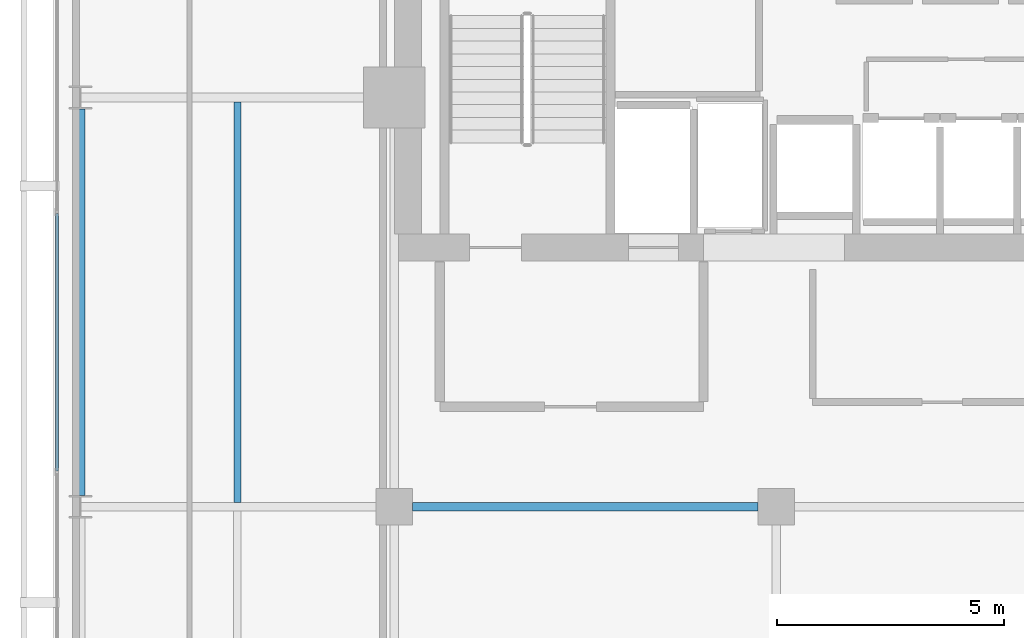
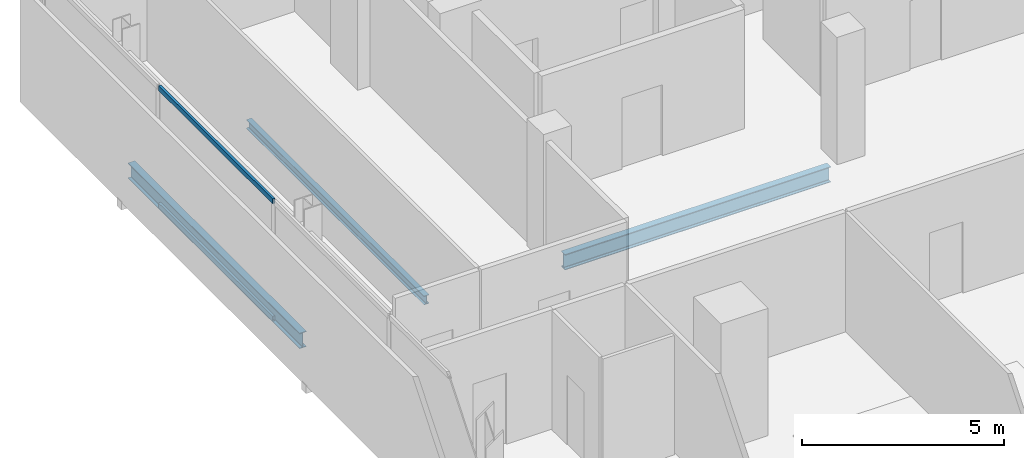
# One storey, part 8 of 23: 3 beams, 2 members, 1 element without a shape of its own.
"""IFC4 building model written with IfcOpenShell, lengths in metres."""

from ifc_helpers import new_model, si_unit, direction, frame, origin, origin_2d, place, context, subcontext, project, spatial, hollow_rectangle, i_section, extrude, material, layer, layer_set, material_profile, profile_set, type_object, element, aggregate, save


model = new_model("IFC4")

# Units and contexts
model_context = context("Model", 3, precision=1e-05, world=origin(), true_north=direction((0.0, 1.0)))
body_context = subcontext(model_context, "Body", "Model", "MODEL_VIEW")
ifc_project = project(units=[si_unit("LENGTHUNIT", "METRE"), si_unit("AREAUNIT", "SQUARE_METRE"), si_unit("VOLUMEUNIT", "CUBIC_METRE"), si_unit("PLANEANGLEUNIT", "RADIAN"), si_unit("MASSUNIT", "GRAM", prefix="KILO")], contexts=[model_context])

# Site, building, storey
site_placement = place(None, origin())
site = spatial("IfcSite", under=ifc_project, at=site_placement, CompositionType="ELEMENT")
building_placement = place(site_placement, origin())
building = spatial("IfcBuilding", under=site, at=building_placement, Name="Maruvema Waterfront Hotel and Observation Tower", CompositionType="ELEMENT")
storey_placement = place(building_placement, frame((0.0, 0.0, 341.25)))
storey = spatial("IfcBuildingStorey", under=building, at=storey_placement, Name="L84", CompositionType="ELEMENT", Elevation=341.25)

# Curtain wall, members
ifc_material_1 = material(Name="Anodised bronze aluminium and solar-control low-E IGU", Category="aluminium")
ifc_layer = layer(ifc_material_1, 0.159912109375, Name="Zone 4 Sky Residence Inner Curtain Wall System CW-05")
ifc_layer_set = layer_set([ifc_layer], Name="Anodised bronze aluminium and solar-control low-E IGU")
curtain_wall_type = type_object("IfcCurtainWallType", Name="Zone 4 Sky Residence Inner Curtain Wall System CW-05", PredefinedType="USERDEFINED", material=ifc_layer_set)
curtain_wall_placement = place(storey_placement, origin())
curtain_wall = element("IfcCurtainWall", 1, at=curtain_wall_placement, inside=storey, type_object=curtain_wall_type, Name="L84 Curtain Wall CW-L84-W", ObjectType="UNITISED CURTAIN WALL", PredefinedType="USERDEFINED")
ifc_material_2 = material(Name="Anodised architectural bronze aluminium", Category="aluminium")
ifc_material_profile_1 = material_profile(ifc_material_2, hollow_rectangle(XDim=0.070068359375, YDim=0.14990234375, WallThickness=0.00390625, at=origin_2d()), Name="ALU-T70x150")
ifc_profile_set_1 = profile_set([ifc_material_profile_1], Name="Anodised architectural bronze aluminium")
member_type = type_object("IfcMemberType", Name="Curtain Wall Horizontal Transom ALU-T70x150", PredefinedType="USERDEFINED", material=ifc_profile_set_1)
member_1_placement = place(storey_placement, frame((17.780029296875, 42.449951171875, 0.030029296875), z_axis=(0.0, -1.0, 0.0), x_axis=(1.0, 0.0, 0.0)))
member_1 = element("IfcMember", 2, at=member_1_placement, type_object=member_type, Name="CW-05 transom 2.1", ObjectType="TRANSOM", PredefinedType="USERDEFINED", context=body_context, shape_type="SweptSolid", body=[
    extrude(hollow_rectangle(XDim=0.070068359375, YDim=0.14990234375, WallThickness=0.00390625, at=origin_2d()), origin(), (0.0, 0.0, 1.0), 5.659912109375),
])
member_2_placement = place(storey_placement, frame((17.780029296875, 42.449951171875, 3.580078125), z_axis=(0.0, -1.0, 0.0), x_axis=(1.0, 0.0, 0.0)))
member_2 = element("IfcMember", 3, at=member_2_placement, type_object=member_type, Name="CW-05 transom 2.2", ObjectType="TRANSOM", PredefinedType="USERDEFINED", context=body_context, shape_type="SweptSolid", body=[
    extrude(hollow_rectangle(XDim=0.070068359375, YDim=0.14990234375, WallThickness=0.00390625, at=origin_2d()), origin(), (0.0, 0.0, 1.0), 5.659912109375),
])
aggregate(curtain_wall, [member_1, member_2])

# Beams
ifc_material_3 = material(Name="Steel ASTM A572 Grade 50", Category="steel")
ifc_material_profile_2 = material_profile(ifc_material_3, i_section(OverallWidth=0.194091796875, OverallDepth=0.468994140625, WebThickness=0.0126953125, FlangeThickness=0.0205078125, FilletRadius=0.014892578125, at=origin_2d()), Name="W460x106.0")
ifc_profile_set_2 = profile_set([ifc_material_profile_2], Name="Steel ASTM A572 Grade 50")
beam_type_1 = type_object("IfcBeamType", Name="Primary Floor Girder W460x106.0", PredefinedType="BEAM", material=ifc_profile_set_2)
beam_1_placement = place(storey_placement, frame((25.60009765625, 36.0, -0.474609375), z_axis=(1.0, 0.0, 0.0), x_axis=(0.0, 1.0, 0.0)))
element("IfcBeam", 4, at=beam_1_placement, inside=storey, type_object=beam_type_1, Name="L84 Floor Girder EW-11", PredefinedType="BEAM", context=body_context, shape_type="SweptSolid", body=[
    extrude(i_section(OverallWidth=0.194091796875, OverallDepth=0.468994140625, WebThickness=0.0126953125, FlangeThickness=0.0205078125, FilletRadius=0.014892578125, at=origin_2d()), origin(), (0.0, 0.0, 1.0), 7.599853515625),
])
beam_2_placement = place(storey_placement, frame((18.300048828125, 36.25, -0.474609375), z_axis=(0.0, 1.0, 0.0), x_axis=(-1.0, 0.0, 0.0)))
element("IfcBeam", 5, at=beam_2_placement, inside=storey, type_object=beam_type_1, Name="L84 Floor Girder NS-02", PredefinedType="BEAM", context=body_context, shape_type="SweptSolid", body=[
    extrude(i_section(OverallWidth=0.194091796875, OverallDepth=0.468994140625, WebThickness=0.0126953125, FlangeThickness=0.0205078125, FilletRadius=0.014892578125, at=origin_2d()), origin(), (0.0, 0.0, 1.0), 8.5),
])
ifc_material_4 = material(Name="Steel ASTM A572 Grade 50", Category="steel")
ifc_material_profile_3 = material_profile(ifc_material_4, i_section(OverallWidth=0.14794921875, OverallDepth=0.26611328125, WebThickness=0.007568359375, FlangeThickness=0.012939453125, FilletRadius=0.012939453125, at=origin_2d()), Name="W250x44.8")
ifc_profile_set_3 = profile_set([ifc_material_profile_3], Name="Steel ASTM A572 Grade 50")
beam_type_2 = type_object("IfcBeamType", Name="Secondary Floor Joist W250x44.8", PredefinedType="JOIST", material=ifc_profile_set_3)
beam_3_placement = place(storey_placement, frame((21.75, 36.096923828125, -0.373046875), z_axis=(0.0, 1.0, 0.0), x_axis=(-1.0, 0.0, 0.0)))
element("IfcBeam", 6, at=beam_3_placement, inside=storey, type_object=beam_type_2, Name="L84 Secondary Floor Joist JS-02", PredefinedType="JOIST", context=body_context, shape_type="SweptSolid", body=[
    extrude(i_section(OverallWidth=0.14794921875, OverallDepth=0.26611328125, WebThickness=0.007568359375, FlangeThickness=0.012939453125, FilletRadius=0.012939453125, at=origin_2d()), origin(), (0.0, 0.0, 1.0), 8.80615234375),
])

save(model, "model.ifc")
